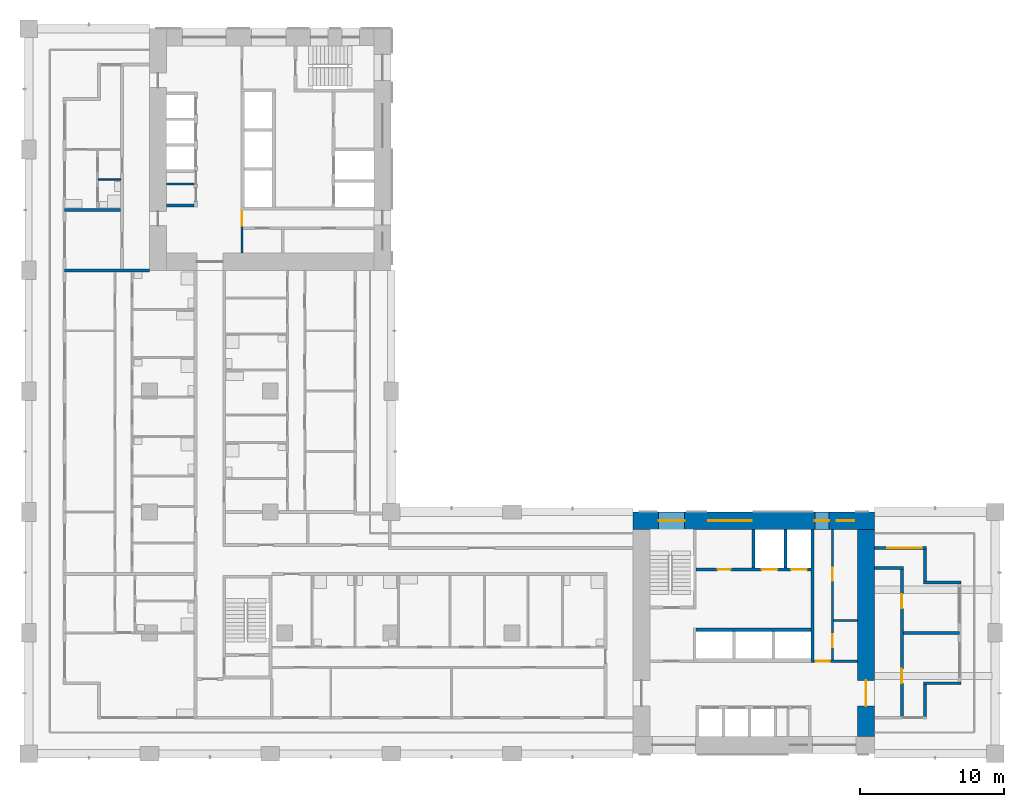
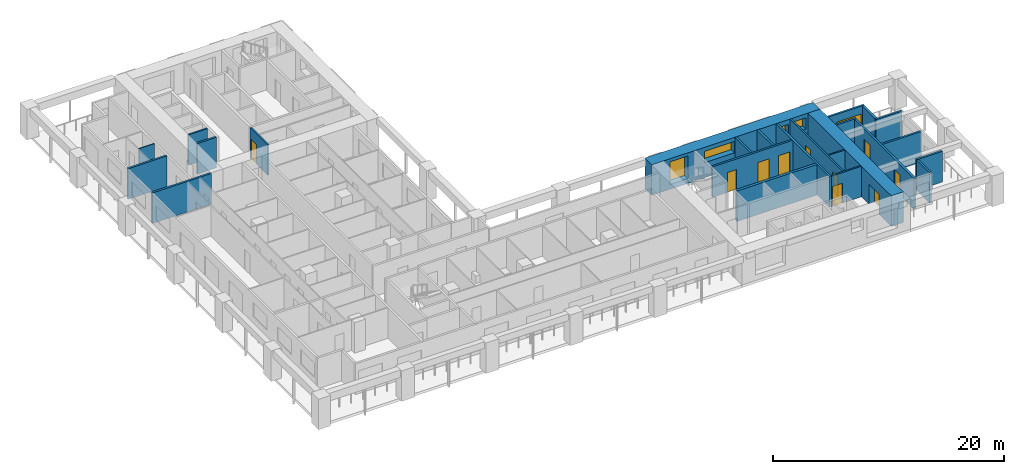
# One storey, part 6 of 16: 24 walls, 10 doors, 5 windows, 15 openings.
"""IFC4 building model written with IfcOpenShell, lengths in metres."""

from ifc_helpers import new_model, si_unit, direction, frame, frame_2d, origin, place, context, subcontext, project, spatial, rectangle, extrude, material, layer, layer_set, type_object, element, fill, save


model = new_model("IFC4")

# Units and contexts
model_context = context("Model", 3, precision=1e-05, world=origin(), true_north=direction((0.0, 1.0)))
body_context = subcontext(model_context, "Body", "Model", "MODEL_VIEW")
ifc_project = project(units=[si_unit("LENGTHUNIT", "METRE"), si_unit("AREAUNIT", "SQUARE_METRE"), si_unit("VOLUMEUNIT", "CUBIC_METRE"), si_unit("PLANEANGLEUNIT", "RADIAN"), si_unit("MASSUNIT", "GRAM", prefix="KILO")], contexts=[model_context])

# Site, building, storey
site_placement = place(None, origin())
site = spatial("IfcSite", under=ifc_project, at=site_placement, CompositionType="ELEMENT")
building_placement = place(site_placement, origin())
building = spatial("IfcBuilding", under=site, at=building_placement, Name="Vermilion Gate Residences", CompositionType="ELEMENT")
storey_placement = place(building_placement, frame((0.0, 0.0, 126.699951171875)))
storey = spatial("IfcBuildingStorey", under=building, at=storey_placement, Name="L32", CompositionType="ELEMENT", Elevation=126.699951171875)

# Wall, opening, door
ifc_material_1 = material(Name="Masonry blockwork", Category="masonry")
ifc_layer_1 = layer(ifc_material_1, 0.14990234375)
ifc_layer_set_1 = layer_set([ifc_layer_1], Name="BLOCKWORK PARTITION 150 EI 120")
wall_type_1 = type_object("IfcWallType", Name="BLOCKWORK PARTITION 150 EI 120", PredefinedType="PARTITIONING", material=ifc_layer_set_1)
wall_1_placement = place(storey_placement, frame((54.60009765625, 14.824951171875, 0.0), z_axis=(0.0, 0.0, 1.0), x_axis=(1.0, 0.0, 0.0)))
wall_1 = element("IfcWall", 1, at=wall_1_placement, inside=storey, type_object=wall_type_1, Name="Core room partition A32-ES-S", PredefinedType="PARTITIONING", context=body_context, shape_type="SweptSolid", body=[
    extrude(rectangle(XDim=3.0, YDim=0.14990234375, at=frame_2d((1.5, 0.0))), origin(), (0.0, 0.0, 1.0), 3.219970703125),
])
opening_1_placement = place(wall_1_placement, frame((0.10009765625, 0.0, 0.0)))
opening_1 = element("IfcOpeningElement", 2, at=opening_1_placement, cuts=wall_1, Name="Opening DK32013", PredefinedType="OPENING", context=body_context, shape_type="SweptSolid", body=[
    extrude(rectangle(XDim=1.0, YDim=2.10009765625, at=frame_2d((0.5, 1.050048828125))), frame((0.0, 0.0849609375, 0.0), z_axis=(0.0, -1.0, 0.0), x_axis=(1.0, 0.0, 0.0)), (0.0, 0.0, 1.0), 0.169921875),
])
ifc_material_2 = material(Name="Steel", Category="steel")
door_type_1 = type_object("IfcDoorType", Name="FIRE DOOR FD60 1000 X 2100", OperationType="SINGLE_SWING_LEFT", PredefinedType="DOOR", material=ifc_material_2)
door_1_placement = place(opening_1_placement, frame((1.0, 0.0, 0.0), z_axis=(0.0, 0.0, 1.0), x_axis=(-1.0, 0.0, 0.0)))
door_1 = element("IfcDoor", 3, at=door_1_placement, inside=storey, type_object=door_type_1, Name="Service corridor door A32", OperationType="SINGLE_SWING_LEFT", OverallHeight=2.10009765625, OverallWidth=1.0, PredefinedType="DOOR", context=body_context, shape_type="SweptSolid", body=[
    extrude(rectangle(XDim=1.0, YDim=2.10009765625, at=frame_2d((0.5, 1.050048828125))), frame((0.0, 0.02490234375, 0.0), z_axis=(0.0, -1.0, 0.0), x_axis=(1.0, 0.0, 0.0)), (0.0, 0.0, 1.0), 0.050048828125),
])
fill(opening_1, door_1)

# Wall
wall_2_placement = place(storey_placement, frame((55.949951171875, 17.659912109375, 0.0), z_axis=(0.0, 0.0, 1.0), x_axis=(1.0, 0.0, 0.0)))
element("IfcWall", 4, at=wall_2_placement, inside=storey, type_object=wall_type_1, Name="Core room partition A32-ES-P0", PredefinedType="PARTITIONING", context=body_context, shape_type="SweptSolid", body=[
    extrude(rectangle(XDim=1.650146484375, YDim=0.14990234375, at=frame_2d((0.8251953125, 0.0))), origin(), (0.0, 0.0, 1.0), 3.219970703125),
])

# Wall, openings, doors
wall_3_placement = place(storey_placement, frame((55.875, 14.89990234375, 0.0), z_axis=(0.0, 0.0, 1.0), x_axis=(0.0, 1.0, 0.0)))
wall_3 = element("IfcWall", 5, at=wall_3_placement, inside=storey, type_object=wall_type_1, Name="Core room partition A32-ES-W", PredefinedType="PARTITIONING", context=body_context, shape_type="SweptSolid", body=[
    extrude(rectangle(XDim=9.10009765625, YDim=0.14990234375, at=frame_2d((4.550048828125, 0.0))), origin(), (0.0, 0.0, 1.0), 3.219970703125),
])
opening_2_placement = place(wall_3_placement, frame((0.892578125, 0.0, 0.0)))
opening_2 = element("IfcOpeningElement", 6, at=opening_2_placement, cuts=wall_3, Name="Opening DK32014", PredefinedType="OPENING", context=body_context, shape_type="SweptSolid", body=[
    extrude(rectangle(XDim=0.89990234375, YDim=2.10009765625, at=frame_2d((0.449951171875, 1.050048828125))), frame((0.0, 0.0849609375, 0.0), z_axis=(0.0, -1.0, 0.0), x_axis=(1.0, 0.0, 0.0)), (0.0, 0.0, 1.0), 0.169921875),
])
opening_3_placement = place(wall_3_placement, frame((5.517578125, 0.0, 0.0)))
opening_3 = element("IfcOpeningElement", 7, at=opening_3_placement, cuts=wall_3, Name="Opening DK32015", PredefinedType="OPENING", context=body_context, shape_type="SweptSolid", body=[
    extrude(rectangle(XDim=0.89990234375, YDim=2.10009765625, at=frame_2d((0.449951171875, 1.050048828125))), frame((0.0, 0.0849609375, 0.0), z_axis=(0.0, -1.0, 0.0), x_axis=(1.0, 0.0, 0.0)), (0.0, 0.0, 1.0), 0.169921875),
])
ifc_material_3 = material(Name="Steel", Category="steel")
door_type_2 = type_object("IfcDoorType", Name="SERVICE ROOM DOOR FD60 900 X 2100", OperationType="SINGLE_SWING_LEFT", PredefinedType="DOOR", material=ifc_material_3)
door_2_placement = place(opening_2_placement, frame((0.89990234375, 0.0, 0.0), z_axis=(0.0, 0.0, 1.0), x_axis=(-1.0, 0.0, 0.0)))
door_2 = element("IfcDoor", 8, at=door_2_placement, inside=storey, type_object=door_type_2, Name="Electrical room A32", OperationType="SINGLE_SWING_RIGHT", OverallHeight=2.10009765625, OverallWidth=0.89990234375, PredefinedType="DOOR", context=body_context, shape_type="SweptSolid", body=[
    extrude(rectangle(XDim=0.89990234375, YDim=2.10009765625, at=frame_2d((0.449951171875, 1.050048828125))), frame((0.0, 0.02490234375, 0.0), z_axis=(0.0, -1.0, 0.0), x_axis=(1.0, 0.0, 0.0)), (0.0, 0.0, 1.0), 0.050048828125),
])
fill(opening_2, door_2)
door_3_placement = place(opening_3_placement, frame((0.89990234375, 0.0, 0.0), z_axis=(0.0, 0.0, 1.0), x_axis=(-1.0, 0.0, 0.0)))
door_3 = element("IfcDoor", 9, at=door_3_placement, inside=storey, type_object=door_type_2, Name="Storage room A32", OperationType="SINGLE_SWING_LEFT", OverallHeight=2.10009765625, OverallWidth=0.89990234375, PredefinedType="DOOR", context=body_context, shape_type="SweptSolid", body=[
    extrude(rectangle(XDim=0.89990234375, YDim=2.10009765625, at=frame_2d((0.449951171875, 1.050048828125))), frame((0.0, 0.02490234375, 0.0), z_axis=(0.0, -1.0, 0.0), x_axis=(1.0, 0.0, 0.0)), (0.0, 0.0, 1.0), 0.050048828125),
])
fill(opening_3, door_3)

# Wall
wall_4_placement = place(storey_placement, frame((9.60009765625, 48.007568359375, 0.0), z_axis=(0.0, 0.0, 1.0), x_axis=(1.0, 0.0, 0.0)))
element("IfcWall", 10, at=wall_4_placement, inside=storey, type_object=wall_type_1, Name="Core room partition B32-SR-P0", PredefinedType="PARTITIONING", context=body_context, shape_type="SweptSolid", body=[
    extrude(rectangle(XDim=1.89990234375, YDim=0.14990234375, at=frame_2d((0.949951171875, 0.0))), origin(), (0.0, 0.0, 1.0), 3.219970703125),
])

# Wall, opening, door
wall_5_placement = place(storey_placement, frame((14.824951171875, 46.199951171875, 0.0), z_axis=(0.0, 0.0, 1.0), x_axis=(0.0, -1.0, 0.0)))
wall_5 = element("IfcWall", 11, at=wall_5_placement, inside=storey, type_object=wall_type_1, Name="Core room partition B32-ES-S", PredefinedType="PARTITIONING", context=body_context, shape_type="SweptSolid", body=[
    extrude(rectangle(XDim=3.0, YDim=0.14990234375, at=frame_2d((1.5, 0.0))), origin(), (0.0, 0.0, 1.0), 3.219970703125),
])
opening_4_placement = place(wall_5_placement, frame((0.10009765625, 0.0, 0.0)))
opening_4 = element("IfcOpeningElement", 12, at=opening_4_placement, cuts=wall_5, Name="Opening DK32114", PredefinedType="OPENING", context=body_context, shape_type="SweptSolid", body=[
    extrude(rectangle(XDim=1.0, YDim=2.10009765625, at=frame_2d((0.5, 1.050048828125))), frame((0.0, 0.0849609375, 0.0), z_axis=(0.0, -1.0, 0.0), x_axis=(1.0, 0.0, 0.0)), (0.0, 0.0, 1.0), 0.169921875),
])
door_4_placement = place(opening_4_placement, frame((1.0, 0.0, 0.0), z_axis=(0.0, 0.0, 1.0), x_axis=(-1.0, 0.0, 0.0)))
door_4 = element("IfcDoor", 13, at=door_4_placement, inside=storey, type_object=door_type_1, Name="Service corridor door B32", OperationType="SINGLE_SWING_LEFT", OverallHeight=2.10009765625, OverallWidth=1.0, PredefinedType="DOOR", context=body_context, shape_type="SweptSolid", body=[
    extrude(rectangle(XDim=1.0, YDim=2.10009765625, at=frame_2d((0.5, 1.050048828125))), frame((0.0, 0.02490234375, 0.0), z_axis=(0.0, -1.0, 0.0), x_axis=(1.0, 0.0, 0.0)), (0.0, 0.0, 1.0), 0.050048828125),
])
fill(opening_4, door_4)

# Walls
ifc_material_4 = material(Name="Insulated steel stud wall with terracotta rainscreen", Category="masonry")
ifc_layer_2 = layer(ifc_material_4, 0.199951171875)
ifc_layer_set_2 = layer_set([ifc_layer_2], Name="EXTERNAL WALL 200 TERRACOTTA RAINSCREEN")
wall_type_2 = type_object("IfcWallType", Name="EXTERNAL WALL 200 TERRACOTTA RAINSCREEN", PredefinedType="SOLIDWALL", material=ifc_layer_set_2)
wall_6_placement = place(storey_placement, frame((62.300048828125, 11.0, 0.0), z_axis=(0.0, 0.0, 1.0), x_axis=(0.0, 1.0, 0.0)))
element("IfcWall", 14, at=wall_6_placement, inside=storey, type_object=wall_type_2, Name="External wall", PredefinedType="SOLIDWALL", context=body_context, shape_type="SweptSolid", body=[
    extrude(rectangle(XDim=2.199951171875, YDim=0.199951171875, at=frame_2d((1.10009765625, 0.0))), origin(), (0.0, 0.0, 1.0), 3.219970703125),
])
for number, where, z_axis, x_axis, name in (
    (15, (62.199951171875, 13.300048828125, 0.0), (0.0, 0.0, 1.0), (1.0, 0.0, 0.0), "External wall"),
    (16, (64.800048828125, 20.300048828125, 0.0), (0.0, 0.0, 1.0), (-1.0, 0.0, 0.0), "External wall"),
):
    element("IfcWall", number, at=place(storey_placement, frame(where, z_axis=z_axis, x_axis=x_axis)), inside=storey, type_object=wall_type_2, Name=name, PredefinedType="SOLIDWALL", context=body_context, shape_type="SweptSolid", body=[
        extrude(rectangle(XDim=2.60009765625, YDim=0.199951171875, at=frame_2d((1.300048828125, 0.0))), origin(), (0.0, 0.0, 1.0), 3.219970703125),
    ])
wall_7_placement = place(storey_placement, frame((62.300048828125, 20.39990234375, 0.0), z_axis=(0.0, 0.0, 1.0), x_axis=(0.0, 1.0, 0.0)))
element("IfcWall", 17, at=wall_7_placement, inside=storey, type_object=wall_type_2, Name="External wall", PredefinedType="SOLIDWALL", context=body_context, shape_type="SweptSolid", body=[
    extrude(rectangle(XDim=2.2001953125, YDim=0.199951171875, at=frame_2d((1.10009765625, 0.0))), origin(), (0.0, 0.0, 1.0), 3.219970703125),
])

# Wall, opening, window
wall_8_placement = place(storey_placement, frame((62.39990234375, 22.699951171875, 0.0), z_axis=(0.0, 0.0, 1.0), x_axis=(-1.0, 0.0, 0.0)))
wall_8 = element("IfcWall", 18, at=wall_8_placement, inside=storey, type_object=wall_type_2, Name="External wall", PredefinedType="SOLIDWALL", context=body_context, shape_type="SweptSolid", body=[
    extrude(rectangle(XDim=3.599853515625, YDim=0.199951171875, at=frame_2d((1.7998046875, 0.0))), origin(), (0.0, 0.0, 1.0), 3.219970703125),
])
opening_5_placement = place(wall_8_placement, frame((0.300048828125, 0.0, 0.89990234375)))
opening_5 = element("IfcOpeningElement", 19, at=opening_5_placement, cuts=wall_8, Name="Opening WE32023", PredefinedType="OPENING", context=body_context, shape_type="SweptSolid", body=[
    extrude(rectangle(XDim=2.39990234375, YDim=1.5, at=frame_2d((1.199951171875, 0.75))), frame((0.0, 0.10986328125, 0.0), z_axis=(0.0, -1.0, 0.0), x_axis=(1.0, 0.0, 0.0)), (0.0, 0.0, 1.0), 0.219970703125),
])
ifc_material_5 = material(Name="Aluminium and clear glass", Category="aluminium")
window_type_1 = type_object("IfcWindowType", Name="WINDOW 2400 X 1500", PartitioningType="SINGLE_PANEL", PredefinedType="WINDOW", material=ifc_material_5)
window_1_placement = place(opening_5_placement, origin())
window_1 = element("IfcWindow", 20, at=window_1_placement, inside=storey, type_object=window_type_1, Name="Window", OverallHeight=1.5, OverallWidth=2.39990234375, PartitioningType="SINGLE_PANEL", PredefinedType="WINDOW", context=body_context, shape_type="SweptSolid", body=[
    extrude(rectangle(XDim=2.39990234375, YDim=1.5, at=frame_2d((1.199951171875, 0.75))), frame((0.0, 0.030029296875, 0.0), z_axis=(0.0, -1.0, 0.0), x_axis=(1.0, 0.0, 0.0)), (0.0, 0.0, 1.0), 0.06005859375),
])
fill(opening_5, window_1)

# Walls
ifc_material_6 = material(Name="Plasterboard on steel studs", Category="steel")
ifc_layer_3 = layer(ifc_material_6, 0.10009765625)
ifc_layer_set_3 = layer_set([ifc_layer_3], Name="PARTITION 100")
wall_type_3 = type_object("IfcWallType", Name="PARTITION 100", PredefinedType="PARTITIONING", material=ifc_layer_set_3)
wall_9_placement = place(storey_placement, frame((4.85009765625, 48.300048828125, 0.0), z_axis=(0.0, 0.0, 1.0), x_axis=(1.0, 0.0, 0.0)))
element("IfcWall", 21, at=wall_9_placement, inside=storey, type_object=wall_type_3, Name="Partition", PredefinedType="PARTITIONING", context=body_context, shape_type="SweptSolid", body=[
    extrude(rectangle(XDim=1.5498046875, YDim=0.10009765625, at=frame_2d((0.77490234375, 0.0))), origin(), (0.0, 0.0, 1.0), 3.219970703125),
])
ifc_material_7 = material(Name="Fire-rated plasterboard on steel studs", Category="steel")
ifc_layer_4 = layer(ifc_material_7, 0.199951171875)
ifc_layer_set_4 = layer_set([ifc_layer_4], Name="PARTY WALL 200 EI 120")
wall_type_4 = type_object("IfcWallType", Name="PARTY WALL 200 EI 120", PredefinedType="PARTITIONING", material=ifc_layer_set_4)
wall_10_placement = place(storey_placement, frame((60.800048828125, 16.800048828125, 0.0), z_axis=(0.0, 0.0, 1.0), x_axis=(1.0, 0.0, 0.0)))
element("IfcWall", 22, at=wall_10_placement, inside=storey, type_object=wall_type_4, Name="Party and corridor wall", PredefinedType="PARTITIONING", context=body_context, shape_type="SweptSolid", body=[
    extrude(rectangle(XDim=3.89990234375, YDim=0.199951171875, at=frame_2d((1.949951171875, 0.0))), origin(), (0.0, 0.0, 1.0), 3.219970703125),
])
wall_11_placement = place(storey_placement, frame((58.800048828125, 21.300048828125, 0.0), z_axis=(0.0, 0.0, 1.0), x_axis=(1.0, 0.0, 0.0)))
element("IfcWall", 23, at=wall_11_placement, inside=storey, type_object=wall_type_4, Name="Party and corridor wall", PredefinedType="PARTITIONING", context=body_context, shape_type="SweptSolid", body=[
    extrude(rectangle(XDim=2.0, YDim=0.199951171875, at=frame_2d((1.0, 0.0))), origin(), (0.0, 0.0, 1.0), 3.219970703125),
])
wall_12_placement = place(storey_placement, frame((2.5, 42.0, 0.0), z_axis=(0.0, 0.0, 1.0), x_axis=(1.0, 0.0, 0.0)))
element("IfcWall", 24, at=wall_12_placement, inside=storey, type_object=wall_type_4, Name="Party and corridor wall", PredefinedType="PARTITIONING", context=body_context, shape_type="SweptSolid", body=[
    extrude(rectangle(XDim=5.89990234375, YDim=0.199951171875, at=frame_2d((2.949951171875, 0.0))), origin(), (0.0, 0.0, 1.0), 3.219970703125),
])
wall_13_placement = place(storey_placement, frame((2.5, 46.199951171875, 0.0), z_axis=(0.0, 0.0, 1.0), x_axis=(1.0, 0.0, 0.0)))
element("IfcWall", 25, at=wall_13_placement, inside=storey, type_object=wall_type_4, Name="Party and corridor wall", PredefinedType="PARTITIONING", context=body_context, shape_type="SweptSolid", body=[
    extrude(rectangle(XDim=3.89990234375, YDim=0.199951171875, at=frame_2d((1.949951171875, 0.0))), origin(), (0.0, 0.0, 1.0), 3.219970703125),
])

# Wall, openings, doors
wall_14_placement = place(storey_placement, frame((60.699951171875, 10.89990234375, 0.0), z_axis=(0.0, 0.0, 1.0), x_axis=(0.0, 1.0, 0.0)))
wall_14 = element("IfcWall", 26, at=wall_14_placement, inside=storey, type_object=wall_type_4, Name="Party and corridor wall", PredefinedType="PARTITIONING", context=body_context, shape_type="SweptSolid", body=[
    extrude(rectangle(XDim=10.300048828125, YDim=0.199951171875, at=frame_2d((5.14990234375, 0.0))), origin(), (0.0, 0.0, 1.0), 3.219970703125),
])
opening_6_placement = place(wall_14_placement, frame((2.39990234375, 0.0, 0.0)))
opening_6 = element("IfcOpeningElement", 27, at=opening_6_placement, cuts=wall_14, Name="Opening DA32051", PredefinedType="OPENING", context=body_context, shape_type="SweptSolid", body=[
    extrude(rectangle(XDim=1.0, YDim=2.10009765625, at=frame_2d((0.5, 1.050048828125))), frame((0.0, 0.10986328125, 0.0), z_axis=(0.0, -1.0, 0.0), x_axis=(1.0, 0.0, 0.0)), (0.0, 0.0, 1.0), 0.219970703125),
])
opening_7_placement = place(wall_14_placement, frame((7.60009765625, 0.0, 0.0)))
opening_7 = element("IfcOpeningElement", 28, at=opening_7_placement, cuts=wall_14, Name="Opening DA32052", PredefinedType="OPENING", context=body_context, shape_type="SweptSolid", body=[
    extrude(rectangle(XDim=1.0, YDim=2.10009765625, at=frame_2d((0.5, 1.050048828125))), frame((0.0, 0.10986328125, 0.0), z_axis=(0.0, -1.0, 0.0), x_axis=(1.0, 0.0, 0.0)), (0.0, 0.0, 1.0), 0.219970703125),
])
ifc_material_8 = material(Name="Steel", Category="steel")
door_type_3 = type_object("IfcDoorType", Name="ENTRANCE DOOR 1000 X 2100 FD30", OperationType="SINGLE_SWING_LEFT", PredefinedType="DOOR", material=ifc_material_8)
door_5_placement = place(opening_6_placement, frame((1.0, 0.0, 0.0), z_axis=(0.0, 0.0, 1.0), x_axis=(-1.0, 0.0, 0.0)))
door_5 = element("IfcDoor", 29, at=door_5_placement, inside=storey, type_object=door_type_3, Name="Entrance door", OperationType="SINGLE_SWING_RIGHT", OverallHeight=2.10009765625, OverallWidth=1.0, PredefinedType="DOOR", context=body_context, shape_type="SweptSolid", body=[
    extrude(rectangle(XDim=1.0, YDim=2.10009765625, at=frame_2d((0.5, 1.050048828125))), frame((0.0, 0.02490234375, 0.0), z_axis=(0.0, -1.0, 0.0), x_axis=(1.0, 0.0, 0.0)), (0.0, 0.0, 1.0), 0.050048828125),
])
fill(opening_6, door_5)
door_6_placement = place(opening_7_placement, frame((1.0, 0.0, 0.0), z_axis=(0.0, 0.0, 1.0), x_axis=(-1.0, 0.0, 0.0)))
door_6 = element("IfcDoor", 30, at=door_6_placement, inside=storey, type_object=door_type_3, Name="Entrance door", OperationType="SINGLE_SWING_RIGHT", OverallHeight=2.10009765625, OverallWidth=1.0, PredefinedType="DOOR", context=body_context, shape_type="SweptSolid", body=[
    extrude(rectangle(XDim=1.0, YDim=2.10009765625, at=frame_2d((0.5, 1.050048828125))), frame((0.0, 0.02490234375, 0.0), z_axis=(0.0, -1.0, 0.0), x_axis=(1.0, 0.0, 0.0)), (0.0, 0.0, 1.0), 0.050048828125),
])
fill(opening_7, door_6)

# Walls
ifc_material_9 = material(Name="Concrete C60", Category="concrete")
ifc_layer_5 = layer(ifc_material_9, 0.199951171875)
ifc_layer_set_5 = layer_set([ifc_layer_5], Name="RC CORE INTERNAL WALL 200 C60")
wall_type_5 = type_object("IfcWallType", Name="RC CORE INTERNAL WALL 200 C60", PredefinedType="SHEAR", material=ifc_layer_set_5)
for number, where, z_axis, x_axis, name in (
    (31, (50.39990234375, 21.300048828125, 0.0), (0.0, 0.0, 1.0), (0.0, 1.0, 0.0), "Core internal wall A32-FF-D0"),
    (32, (52.60009765625, 21.300048828125, 0.0), (0.0, 0.0, 1.0), (0.0, 1.0, 0.0), "Core internal wall A32-FF-D1"),
):
    element("IfcWall", number, at=place(storey_placement, frame(where, z_axis=z_axis, x_axis=x_axis)), inside=storey, type_object=wall_type_5, Name=name, PredefinedType="SHEAR", context=body_context, shape_type="SweptSolid", body=[
        extrude(rectangle(XDim=2.699951171875, YDim=0.199951171875, at=frame_2d((1.35009765625, 0.0))), origin(), (0.0, 0.0, 1.0), 3.219970703125),
    ])

# Wall, openings, doors
wall_15_placement = place(storey_placement, frame((46.39990234375, 21.199951171875, 0.0), z_axis=(0.0, 0.0, 1.0), x_axis=(1.0, 0.0, 0.0)))
wall_15 = element("IfcWall", 33, at=wall_15_placement, inside=storey, type_object=wall_type_5, Name="Core internal wall A32-FF-F", PredefinedType="SHEAR", context=body_context, shape_type="SweptSolid", body=[
    extrude(rectangle(XDim=8.0, YDim=0.199951171875, at=frame_2d((4.0, 0.0))), origin(), (0.0, 0.0, 1.0), 3.219970703125),
])
opening_8_placement = place(wall_15_placement, frame((1.5, 0.0, 0.0)))
opening_8 = element("IfcOpeningElement", 34, at=opening_8_placement, cuts=wall_15, Name="Opening DK32008", PredefinedType="OPENING", context=body_context, shape_type="SweptSolid", body=[
    extrude(rectangle(XDim=0.89990234375, YDim=2.10009765625, at=frame_2d((0.449951171875, 1.050048828125))), frame((0.0, 0.10986328125, 0.0), z_axis=(0.0, -1.0, 0.0), x_axis=(1.0, 0.0, 0.0)), (0.0, 0.0, 1.0), 0.219970703125),
])
opening_9_placement = place(wall_15_placement, frame((4.550048828125, 0.0, 0.0)))
opening_9 = element("IfcOpeningElement", 35, at=opening_9_placement, cuts=wall_15, Name="Opening LD", PredefinedType="OPENING", context=body_context, shape_type="SweptSolid", body=[
    extrude(rectangle(XDim=1.10009765625, YDim=2.10009765625, at=frame_2d((0.550048828125, 1.050048828125))), frame((0.0, 0.10986328125, 0.0), z_axis=(0.0, -1.0, 0.0), x_axis=(1.0, 0.0, 0.0)), (0.0, 0.0, 1.0), 0.219970703125),
])
opening_10_placement = place(wall_15_placement, frame((6.60009765625, 0.0, 0.0)))
opening_10 = element("IfcOpeningElement", 36, at=opening_10_placement, cuts=wall_15, Name="Opening LD", PredefinedType="OPENING", context=body_context, shape_type="SweptSolid", body=[
    extrude(rectangle(XDim=1.10009765625, YDim=2.10009765625, at=frame_2d((0.550048828125, 1.050048828125))), frame((0.0, 0.10986328125, 0.0), z_axis=(0.0, -1.0, 0.0), x_axis=(1.0, 0.0, 0.0)), (0.0, 0.0, 1.0), 0.219970703125),
])
ifc_material_10 = material(Name="Stainless steel", Category="steel")
door_type_4 = type_object("IfcDoorType", Name="LIFT LANDING DOOR E60 1100 X 2100", OperationType="DOUBLE_DOOR_SLIDING", PredefinedType="DOOR", material=ifc_material_10)
door_7_placement = place(opening_9_placement, origin())
door_7 = element("IfcDoor", 37, at=door_7_placement, inside=storey, type_object=door_type_4, Name="Lift landing door LFA1", OperationType="DOUBLE_DOOR_SLIDING", OverallHeight=2.10009765625, OverallWidth=1.10009765625, PredefinedType="DOOR", context=body_context, shape_type="SweptSolid", body=[
    extrude(rectangle(XDim=1.10009765625, YDim=2.10009765625, at=frame_2d((0.550048828125, 1.050048828125))), frame((0.0, 0.02490234375, 0.0), z_axis=(0.0, -1.0, 0.0), x_axis=(1.0, 0.0, 0.0)), (0.0, 0.0, 1.0), 0.050048828125),
])
fill(opening_9, door_7)
door_8_placement = place(opening_10_placement, origin())
door_8 = element("IfcDoor", 38, at=door_8_placement, inside=storey, type_object=door_type_4, Name="Lift landing door LCA1", OperationType="DOUBLE_DOOR_SLIDING", OverallHeight=2.10009765625, OverallWidth=1.10009765625, PredefinedType="DOOR", context=body_context, shape_type="SweptSolid", body=[
    extrude(rectangle(XDim=1.10009765625, YDim=2.10009765625, at=frame_2d((0.550048828125, 1.050048828125))), frame((0.0, 0.02490234375, 0.0), z_axis=(0.0, -1.0, 0.0), x_axis=(1.0, 0.0, 0.0)), (0.0, 0.0, 1.0), 0.050048828125),
])
fill(opening_10, door_8)
door_9_placement = place(opening_8_placement, origin())
door_9 = element("IfcDoor", 39, at=door_9_placement, inside=storey, type_object=door_type_2, Name="Parcel room A32", OperationType="SINGLE_SWING_LEFT", OverallHeight=2.10009765625, OverallWidth=0.89990234375, PredefinedType="DOOR", context=body_context, shape_type="SweptSolid", body=[
    extrude(rectangle(XDim=0.89990234375, YDim=2.10009765625, at=frame_2d((0.449951171875, 1.050048828125))), frame((0.0, 0.02490234375, 0.0), z_axis=(0.0, -1.0, 0.0), x_axis=(1.0, 0.0, 0.0)), (0.0, 0.0, 1.0), 0.050048828125),
])
fill(opening_8, door_9)

# Walls
wall_16_placement = place(storey_placement, frame((54.5, 14.75, 0.0), z_axis=(0.0, 0.0, 1.0), x_axis=(0.0, 1.0, 0.0)))
element("IfcWall", 40, at=wall_16_placement, inside=storey, type_object=wall_type_5, Name="Core internal wall A32-EDIV", PredefinedType="SHEAR", context=body_context, shape_type="SweptSolid", body=[
    extrude(rectangle(XDim=9.25, YDim=0.199951171875, at=frame_2d((4.625, 0.0))), origin(), (0.0, 0.0, 1.0), 3.219970703125),
])
wall_17_placement = place(storey_placement, frame((9.60009765625, 46.5, 0.0), z_axis=(0.0, 0.0, 1.0), x_axis=(1.0, 0.0, 0.0)))
element("IfcWall", 41, at=wall_17_placement, inside=storey, type_object=wall_type_5, Name="Core internal wall B32-LR-DE", PredefinedType="SHEAR", context=body_context, shape_type="SweptSolid", body=[
    extrude(rectangle(XDim=1.89990234375, YDim=0.199951171875, at=frame_2d((0.949951171875, 0.0))), origin(), (0.0, 0.0, 1.0), 3.219970703125),
])

# Wall, opening, door
ifc_material_11 = material(Name="Concrete C70", Category="concrete")
ifc_layer_6 = layer(ifc_material_11, 1.199951171875)
ifc_layer_set_6 = layer_set([ifc_layer_6], Name="RC CORE WALL 1200 C70")
wall_type_6 = type_object("IfcWallType", Name="RC CORE WALL 1200 C70", PredefinedType="SHEAR", material=ifc_layer_set_6)
wall_18_placement = place(storey_placement, frame((58.199951171875, 9.60009765625, 0.0), z_axis=(0.0, 0.0, 1.0), x_axis=(0.0, 1.0, 0.0)))
wall_18 = element("IfcWall", 42, at=wall_18_placement, inside=storey, type_object=wall_type_6, Name="Core wall A32-OUT-BK", PredefinedType="SHEAR", context=body_context, shape_type="SweptSolid", body=[
    extrude(rectangle(XDim=14.39990234375, YDim=1.199951171875, at=frame_2d((7.199951171875, 0.0))), origin(), (0.0, 0.0, 1.0), 3.219970703125),
])
opening_11_placement = place(wall_18_placement, frame((2.10009765625, 0.0, 0.0)))
opening_11 = element("IfcOpeningElement", 43, at=opening_11_placement, cuts=wall_18, Name="Opening DK32002", PredefinedType="OPENING", context=body_context, shape_type="SweptSolid", body=[
    extrude(rectangle(XDim=1.800048828125, YDim=2.10009765625, at=frame_2d((0.89990234375, 1.050048828125))), frame((0.0, 0.60986328125, 0.0), z_axis=(0.0, -1.0, 0.0), x_axis=(1.0, 0.0, 0.0)), (0.0, 0.0, 1.0), 1.219970703125),
])
ifc_material_12 = material(Name="Steel", Category="steel")
door_type_5 = type_object("IfcDoorType", Name="CORE LOBBY DOOR FD60 1800 X 2100", OperationType="DOUBLE_DOOR_SINGLE_SWING", PredefinedType="DOOR", material=ifc_material_12)
door_10_placement = place(opening_11_placement, origin())
door_10 = element("IfcDoor", 44, at=door_10_placement, inside=storey, type_object=door_type_5, Name="Core lobby door A32", OperationType="DOUBLE_DOOR_SINGLE_SWING", OverallHeight=2.10009765625, OverallWidth=1.800048828125, PredefinedType="DOOR", context=body_context, shape_type="SweptSolid", body=[
    extrude(rectangle(XDim=1.800048828125, YDim=2.10009765625, at=frame_2d((0.89990234375, 1.050048828125))), frame((0.0, 0.02490234375, 0.0), z_axis=(0.0, -1.0, 0.0), x_axis=(1.0, 0.0, 0.0)), (0.0, 0.0, 1.0), 0.050048828125),
])
fill(opening_11, door_10)

# Wall, openings, windows
ifc_material_13 = material(Name="Concrete C70 red-oxide pigmented", Category="concrete")
ifc_layer_7 = layer(ifc_material_13, 1.199951171875)
ifc_layer_set_7 = layer_set([ifc_layer_7], Name="RC CORE WALL 1200 C70 RED OXIDE")
wall_type_7 = type_object("IfcWallType", Name="RC CORE WALL 1200 C70 RED OXIDE", PredefinedType="SHEAR", material=ifc_layer_set_7)
wall_19_placement = place(storey_placement, frame((42.0, 24.60009765625, 0.0), z_axis=(0.0, 0.0, 1.0), x_axis=(1.0, 0.0, 0.0)))
wall_19 = element("IfcWall", 45, at=wall_19_placement, inside=storey, type_object=wall_type_7, Name="Core wall A32-OUT-B1", PredefinedType="SHEAR", context=body_context, shape_type="SweptSolid", body=[
    extrude(rectangle(XDim=16.800048828125, YDim=1.199951171875, at=frame_2d((8.39990234375, 0.0))), origin(), (0.0, 0.0, 1.0), 3.219970703125),
])
opening_12_placement = place(wall_19_placement, frame((1.800048828125, 0.0, 0.5)))
opening_12 = element("IfcOpeningElement", 46, at=opening_12_placement, cuts=wall_19, Name="Opening WKA3204", PredefinedType="OPENING", context=body_context, shape_type="SweptSolid", body=[
    extrude(rectangle(XDim=1.800048828125, YDim=2.39990234375, at=frame_2d((0.89990234375, 1.199951171875))), frame((0.0, 0.60986328125, 0.0), z_axis=(0.0, -1.0, 0.0), x_axis=(1.0, 0.0, 0.0)), (0.0, 0.0, 1.0), 1.219970703125),
])
opening_13_placement = place(wall_19_placement, frame((5.25, 0.0, 1.60009765625)))
opening_13 = element("IfcOpeningElement", 47, at=opening_13_placement, cuts=wall_19, Name="Opening WKA3205", PredefinedType="OPENING", context=body_context, shape_type="SweptSolid", body=[
    extrude(rectangle(XDim=3.0, YDim=1.199951171875, at=frame_2d((1.5, 0.60009765625))), frame((0.0, 0.60986328125, 0.0), z_axis=(0.0, -1.0, 0.0), x_axis=(1.0, 0.0, 0.0)), (0.0, 0.0, 1.0), 1.219970703125),
])
opening_14_placement = place(wall_19_placement, frame((12.64990234375, 0.0, 0.60009765625)))
opening_14 = element("IfcOpeningElement", 48, at=opening_14_placement, cuts=wall_19, Name="Opening WKA3206", PredefinedType="OPENING", context=body_context, shape_type="SweptSolid", body=[
    extrude(rectangle(XDim=1.0, YDim=2.10009765625, at=frame_2d((0.5, 1.050048828125))), frame((0.0, 0.60986328125, 0.0), z_axis=(0.0, -1.0, 0.0), x_axis=(1.0, 0.0, 0.0)), (0.0, 0.0, 1.0), 1.219970703125),
])
opening_15_placement = place(wall_19_placement, frame((14.175048828125, 0.0, 1.60009765625)))
opening_15 = element("IfcOpeningElement", 49, at=opening_15_placement, cuts=wall_19, Name="Opening WKA3207", PredefinedType="OPENING", context=body_context, shape_type="SweptSolid", body=[
    extrude(rectangle(XDim=1.199951171875, YDim=1.199951171875, at=frame_2d((0.60009765625, 0.60009765625))), frame((0.0, 0.60986328125, 0.0), z_axis=(0.0, -1.0, 0.0), x_axis=(1.0, 0.0, 0.0)), (0.0, 0.0, 1.0), 1.219970703125),
])
ifc_material_14 = material(Name="Aluminium and clear glass", Category="aluminium")
window_type_2 = type_object("IfcWindowType", Name="CORE CORRIDOR WINDOW 1000 X 2100", PartitioningType="SINGLE_PANEL", PredefinedType="WINDOW", material=ifc_material_14)
window_2_placement = place(opening_14_placement, origin())
window_2 = element("IfcWindow", 50, at=window_2_placement, inside=storey, type_object=window_type_2, Name="Core corridor window", OverallHeight=2.10009765625, OverallWidth=1.0, PartitioningType="SINGLE_PANEL", PredefinedType="WINDOW", context=body_context, shape_type="SweptSolid", body=[
    extrude(rectangle(XDim=1.0, YDim=2.10009765625, at=frame_2d((0.5, 1.050048828125))), frame((0.0, 0.030029296875, 0.0), z_axis=(0.0, -1.0, 0.0), x_axis=(1.0, 0.0, 0.0)), (0.0, 0.0, 1.0), 0.06005859375),
])
fill(opening_14, window_2)
ifc_material_15 = material(Name="Aluminium frame with louvre blades", Category="aluminium")
window_type_3 = type_object("IfcWindowType", Name="CORE LOUVRE 1200 X 1200", PartitioningType="SINGLE_PANEL", PredefinedType="WINDOW", material=ifc_material_15)
window_3_placement = place(opening_15_placement, origin())
window_3 = element("IfcWindow", 51, at=window_3_placement, inside=storey, type_object=window_type_3, Name="Core louvre", OverallHeight=1.199951171875, OverallWidth=1.199951171875, PartitioningType="SINGLE_PANEL", PredefinedType="WINDOW", context=body_context, shape_type="SweptSolid", body=[
    extrude(rectangle(XDim=1.199951171875, YDim=1.199951171875, at=frame_2d((0.60009765625, 0.60009765625))), frame((0.0, 0.030029296875, 0.0), z_axis=(0.0, -1.0, 0.0), x_axis=(1.0, 0.0, 0.0)), (0.0, 0.0, 1.0), 0.06005859375),
])
fill(opening_15, window_3)
ifc_material_16 = material(Name="Aluminium frame with louvre blades", Category="aluminium")
window_type_4 = type_object("IfcWindowType", Name="CORE LOUVRE 3000 X 1200", PartitioningType="SINGLE_PANEL", PredefinedType="WINDOW", material=ifc_material_16)
window_4_placement = place(opening_13_placement, origin())
window_4 = element("IfcWindow", 52, at=window_4_placement, inside=storey, type_object=window_type_4, Name="Core louvre", OverallHeight=1.199951171875, OverallWidth=3.0, PartitioningType="SINGLE_PANEL", PredefinedType="WINDOW", context=body_context, shape_type="SweptSolid", body=[
    extrude(rectangle(XDim=3.0, YDim=1.199951171875, at=frame_2d((1.5, 0.60009765625))), frame((0.0, 0.030029296875, 0.0), z_axis=(0.0, -1.0, 0.0), x_axis=(1.0, 0.0, 0.0)), (0.0, 0.0, 1.0), 0.06005859375),
])
fill(opening_13, window_4)
ifc_material_17 = material(Name="Aluminium and clear glass", Category="aluminium")
window_type_5 = type_object("IfcWindowType", Name="CORE STAIR WINDOW 1800 X 2400", PartitioningType="SINGLE_PANEL", PredefinedType="WINDOW", material=ifc_material_17)
window_5_placement = place(opening_12_placement, origin())
window_5 = element("IfcWindow", 53, at=window_5_placement, inside=storey, type_object=window_type_5, Name="Core stair window", OverallHeight=2.39990234375, OverallWidth=1.800048828125, PartitioningType="SINGLE_PANEL", PredefinedType="WINDOW", context=body_context, shape_type="SweptSolid", body=[
    extrude(rectangle(XDim=1.800048828125, YDim=2.39990234375, at=frame_2d((0.89990234375, 1.199951171875))), frame((0.0, 0.030029296875, 0.0), z_axis=(0.0, -1.0, 0.0), x_axis=(1.0, 0.0, 0.0)), (0.0, 0.0, 1.0), 0.06005859375),
])
fill(opening_12, window_5)

# Wall
ifc_material_18 = material(Name="Concrete C60", Category="concrete")
ifc_layer_8 = layer(ifc_material_18, 0.25)
ifc_layer_set_8 = layer_set([ifc_layer_8], Name="RC LIFT SHAFT WALL 250 C60")
wall_type_8 = type_object("IfcWallType", Name="RC LIFT SHAFT WALL 250 C60", PredefinedType="SHEAR", material=ifc_layer_set_8)
wall_20_placement = place(storey_placement, frame((46.39990234375, 17.02490234375, 0.0), z_axis=(0.0, 0.0, 1.0), x_axis=(1.0, 0.0, 0.0)))
element("IfcWall", 54, at=wall_20_placement, inside=storey, type_object=wall_type_8, Name="Lift shaft wall A32-HR-B", PredefinedType="SHEAR", context=body_context, shape_type="SweptSolid", body=[
    extrude(rectangle(XDim=8.0, YDim=0.25, at=frame_2d((4.0, 0.0))), origin(), (0.0, 0.0, 1.0), 3.219970703125),
])

save(model, "model.ifc")
